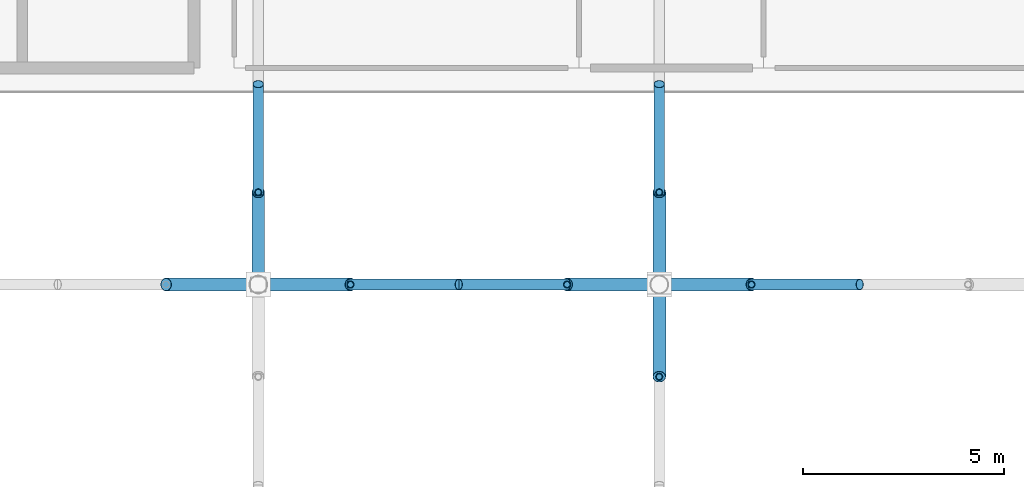
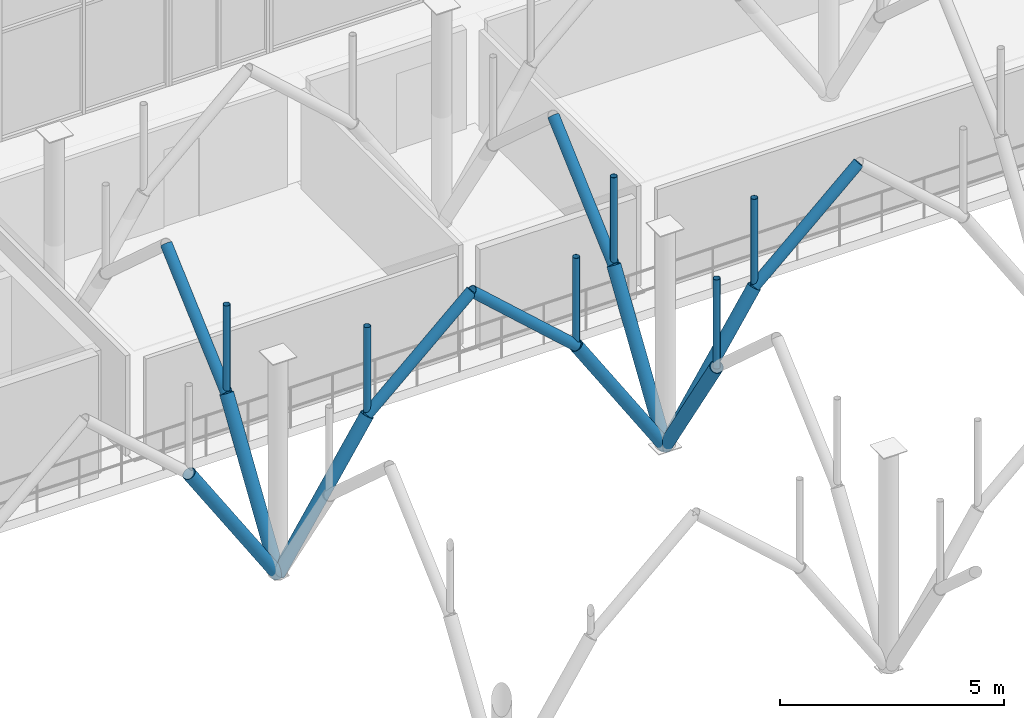
# One storey, part 55 of 109: 18 members.
"""IFC4 building model written with IfcOpenShell, lengths in metres."""

from ifc_helpers import new_model, si_unit, derived_unit, direction, frame, origin, origin_2d_with_axis, place, context, subcontext, project, spatial, hollow_circle, extrude, material, material_profile, profile_set, type_object, element, save


model = new_model("IFC4")

# Units and contexts
model_context = context("Model", 3, precision=1e-05, world=origin(), true_north=direction((0.0, 1.0)))
body_context = subcontext(model_context, "Body", "Model", "MODEL_VIEW")
ifc_project = project(units=[si_unit("LENGTHUNIT", "METRE"), si_unit("AREAUNIT", "SQUARE_METRE"), si_unit("VOLUMEUNIT", "CUBIC_METRE"), si_unit("PLANEANGLEUNIT", "RADIAN"), si_unit("MASSUNIT", "GRAM", prefix="KILO"), derived_unit("THERMALTRANSMITTANCEUNIT", [(si_unit("POWERUNIT", "WATT"), 1), (si_unit("LENGTHUNIT", "METRE"), -2), (si_unit("THERMODYNAMICTEMPERATUREUNIT", "KELVIN"), -1)])], contexts=[model_context])

# Site, building, storey
site_placement = place(None, origin())
site = spatial("IfcSite", under=ifc_project, at=site_placement, CompositionType="ELEMENT")
building_placement = place(site_placement, origin())
building = spatial("IfcBuilding", under=site, at=building_placement, Name="Cinnabar Yard Market Hall", CompositionType="ELEMENT")
storey_placement = place(building_placement, frame((0.0, 0.0, 8.39990234375)))
storey = spatial("IfcBuildingStorey", under=building, at=storey_placement, Name="L02", CompositionType="ELEMENT", Elevation=8.39990234375)

# Members
ifc_material_1 = material(Name="Spotted-gum glulam-clad steel Grade 350 (350 MPa)", Category="steel")
ifc_material_profile_1 = material_profile(ifc_material_1, hollow_circle(Radius=0.136474609375, WallThickness=0.00927734375, at=origin_2d_with_axis()), Name="273.1x9.3CHS")
ifc_profile_set_1 = profile_set([ifc_material_profile_1], Name="Spotted-gum glulam-clad steel Grade 350 (350 MPa)")
member_type_1 = type_object("IfcMemberType", Name="MB-AR01", PredefinedType="USERDEFINED", material=ifc_profile_set_1)
for number, where, z_axis, x_axis, name in (
    (1, (98.300048828125, 54.0, 3.550048828125), (0.743297488271, 0.0, 0.668961018244), (0.0, 1.0, 0.0), "Pointed Arch Rib 0040"),
    (2, (96.0, 56.300048828125, 3.550048828125), (0.0, 0.743297488271, 0.668961018244), (-1.0, 0.0, 0.0), "Pointed Arch Rib 0042"),
    (3, (108.300048828125, 54.0, 3.550048828125), (0.743297488271, 0.0, 0.668961018244), (0.0, 1.0, 0.0), "Pointed Arch Rib 0057"),
    (4, (103.699951171875, 54.0, 3.550048828125), (-0.743297488271, 0.0, 0.668961018244), (0.0, -1.0, 0.0), "Pointed Arch Rib 0058"),
    (5, (106.0, 56.300048828125, 3.550048828125), (0.0, 0.743297488271, 0.668961018244), (-1.0, 0.0, 0.0), "Pointed Arch Rib 0059"),
):
    element("IfcMember", number, at=place(storey_placement, frame(where, z_axis=z_axis, x_axis=x_axis)), inside=storey, type_object=member_type_1, Name=name, ObjectType="ARCH RIB", PredefinedType="USERDEFINED", context=body_context, shape_type="SweptSolid", body=[
        extrude(hollow_circle(Radius=0.136474609375, WallThickness=0.00927734375, at=origin_2d_with_axis()), origin(), (0.0, 0.0, 1.0), 3.63232421875),
    ])
ifc_material_profile_2 = material_profile(ifc_material_1, hollow_circle(Radius=0.161865234375, WallThickness=0.009521484375, at=origin_2d_with_axis()), Name="323.9x9.5CHS")
ifc_profile_set_2 = profile_set([ifc_material_profile_2], Name="Spotted-gum glulam-clad steel Grade 350 (350 MPa)")
member_type_2 = type_object("IfcMemberType", Name="MB-ST01", PredefinedType="STRUT", material=ifc_profile_set_2)
for number, where, z_axis, x_axis, name in (
    (6, (96.0, 54.0, 0.0), (0.543744165176, 0.0, 0.839251024925), (0.0, 1.0, 0.0), "Curved Branch Arm Lower 0040"),
    (7, (96.0, 54.0, 0.0), (-0.543744165176, 0.0, 0.839251024925), (0.0, -1.0, 0.0), "Curved Branch Arm Lower 0041"),
    (8, (96.0, 54.0, 0.0), (0.0, 0.543744165176, 0.839251024925), (-1.0, 0.0, 0.0), "Curved Branch Arm Lower 0042"),
    (9, (106.0, 54.0, 0.0), (0.543744165176, 0.0, 0.839251024925), (0.0, 1.0, 0.0), "Curved Branch Arm Lower 0057"),
    (10, (106.0, 54.0, 0.0), (-0.543744165176, 0.0, 0.839251024925), (0.0, -1.0, 0.0), "Curved Branch Arm Lower 0058"),
    (11, (106.0, 54.0, 0.0), (0.0, 0.543744165176, 0.839251024925), (-1.0, 0.0, 0.0), "Curved Branch Arm Lower 0059"),
    (12, (106.0, 54.0, 0.0), (0.0, -0.543744165176, 0.839251024925), (1.0, 0.0, 0.0), "Curved Branch Arm Lower 0060"),
):
    element("IfcMember", number, at=place(storey_placement, frame(where, z_axis=z_axis, x_axis=x_axis)), inside=storey, type_object=member_type_2, Name=name, PredefinedType="STRUT", context=body_context, shape_type="SweptSolid", body=[
        extrude(hollow_circle(Radius=0.161865234375, WallThickness=0.009521484375, at=origin_2d_with_axis()), origin(), (0.0, 0.0, 1.0), 4.22998046875),
    ])
ifc_material_2 = material(Name="Cold-formed steel C350L0", Category="steel")
ifc_material_profile_3 = material_profile(ifc_material_2, hollow_circle(Radius=0.084228515625, WallThickness=0.00634765625, at=origin_2d_with_axis()), Name="168.3x6.4CHS")
ifc_profile_set_3 = profile_set([ifc_material_profile_3], Name="Cold-formed steel C350L0")
member_type_3 = type_object("IfcMemberType", Name="MB-WB01", PredefinedType="STRUT", material=ifc_profile_set_3)
for number, where, z_axis, x_axis, name in (
    (13, (98.300048828125, 54.0, 3.550048828125), (0.0, 0.0, 1.0), (1.0, 0.0, 0.0), "Arch Spandrel Post 0040"),
    (14, (96.0, 56.300048828125, 3.550048828125), (0.0, 0.0, 1.0), (1.0, 0.0, 0.0), "Arch Spandrel Post 0042"),
    (15, (108.300048828125, 54.0, 3.550048828125), (0.0, 0.0, 1.0), (1.0, 0.0, 0.0), "Arch Spandrel Post 0057"),
    (16, (103.699951171875, 54.0, 3.550048828125), (0.0, 0.0, 1.0), (1.0, 0.0, 0.0), "Arch Spandrel Post 0058"),
    (17, (106.0, 56.300048828125, 3.550048828125), (0.0, 0.0, 1.0), (1.0, 0.0, 0.0), "Arch Spandrel Post 0059"),
    (18, (106.0, 51.699951171875, 3.550048828125), (0.0, 0.0, 1.0), (1.0, 0.0, 0.0), "Arch Spandrel Post 0060"),
):
    element("IfcMember", number, at=place(storey_placement, frame(where, z_axis=z_axis, x_axis=x_axis)), inside=storey, type_object=member_type_3, Name=name, PredefinedType="STRUT", context=body_context, shape_type="SweptSolid", body=[
        extrude(hollow_circle(Radius=0.084228515625, WallThickness=0.00634765625, at=origin_2d_with_axis()), origin(), (0.0, 0.0, 1.0), 2.429931640625),
    ])

save(model, "model.ifc")
